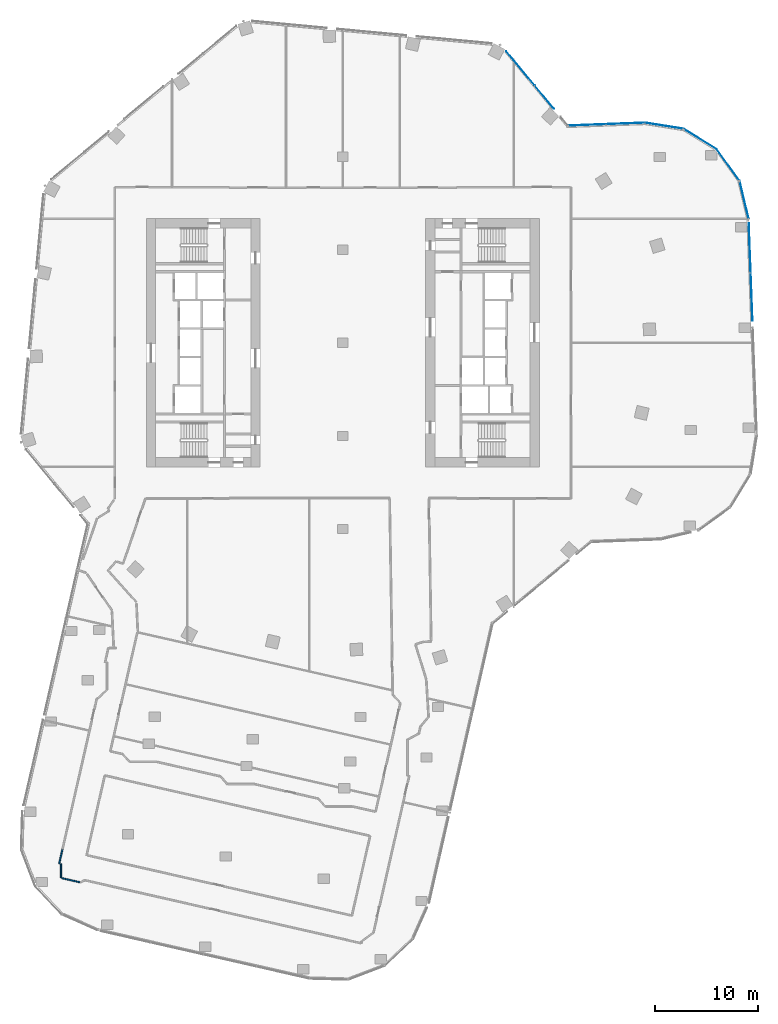
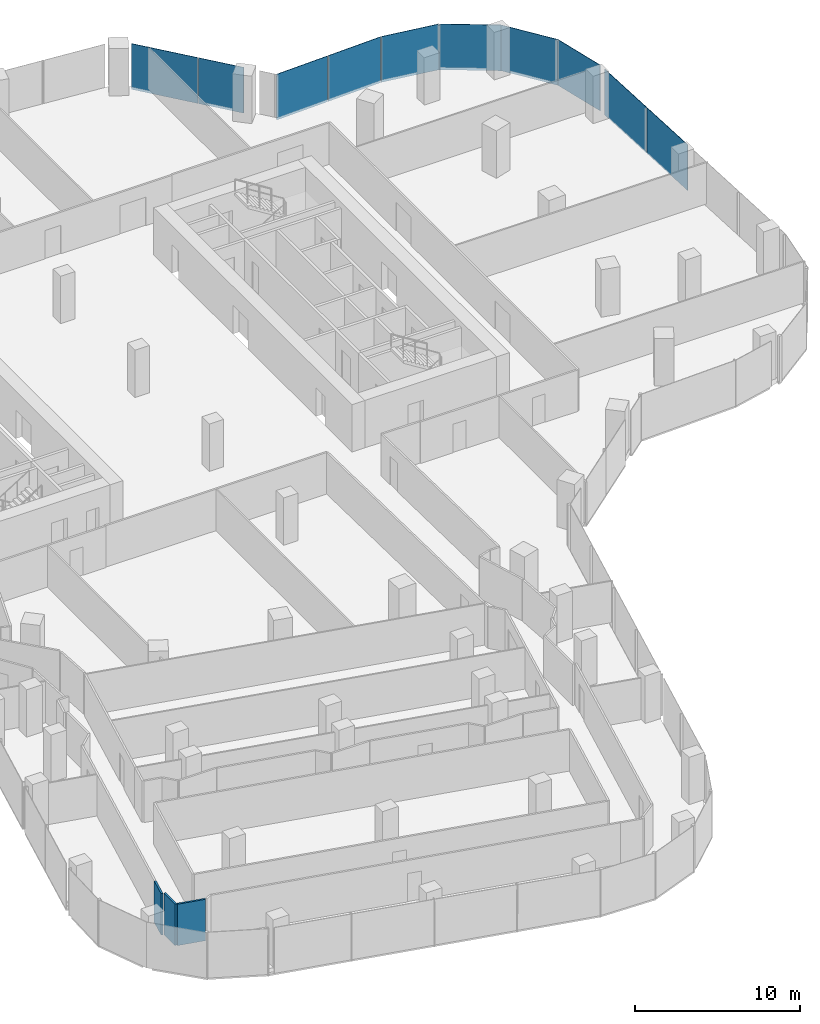
# One storey, part 17 of 24: 10 plates, 3 walls, 7 elements without a shape of their own.
"""IFC4 building model written with IfcOpenShell, lengths in metres."""

from ifc_helpers import new_model, si_unit, direction, frame, frame_2d, origin, origin_2d, place, context, subcontext, project, spatial, rectangle, extrude, material, layer, layer_set, type_object, element, aggregate, save


model = new_model("IFC4")

# Units and contexts
model_context = context("Model", 3, precision=1e-05, world=origin(), true_north=direction((0.0, 1.0)))
body_context = subcontext(model_context, "Body", "Model", "MODEL_VIEW")
ifc_project = project(units=[si_unit("LENGTHUNIT", "METRE"), si_unit("AREAUNIT", "SQUARE_METRE"), si_unit("VOLUMEUNIT", "CUBIC_METRE"), si_unit("PLANEANGLEUNIT", "RADIAN"), si_unit("MASSUNIT", "GRAM", prefix="KILO")], contexts=[model_context])

# Site, building, storey
site_placement = place(None, origin())
site = spatial("IfcSite", under=ifc_project, at=site_placement, CompositionType="ELEMENT")
building_placement = place(site_placement, origin())
building = spatial("IfcBuilding", under=site, at=building_placement, Name="Orlundy Tower", CompositionType="ELEMENT")
storey_placement = place(building_placement, frame((0.0, 0.0, 174.10009765625)))
storey = spatial("IfcBuildingStorey", under=building, at=storey_placement, Name="L45", CompositionType="ELEMENT", Elevation=174.10009765625)

# Curtain wall, plates
ifc_material_1 = material(Name="Aluminium bronze anodised", Category="aluminium")
curtain_wall_type = type_object("IfcCurtainWallType", Name="CW1 wall", PredefinedType="NOTDEFINED", material=ifc_material_1)
curtain_wall_1_placement = place(storey_placement, origin())
curtain_wall_1 = element("IfcCurtainWall", 1, at=curtain_wall_1_placement, inside=storey, type_object=curtain_wall_type, Name="CW1 run 05", PredefinedType="NOTDEFINED")
ifc_material_2 = material(Name="Tinted glass", Category="glass")
ifc_layer_1 = layer(ifc_material_2, 0.031982421875)
ifc_layer_set_1 = layer_set([ifc_layer_1], Name="CW1 glass panel 32")
plate_type = type_object("IfcPlateType", Name="CW1 glass panel 32", PredefinedType="CURTAIN_PANEL", material=ifc_layer_set_1)
plate_1_placement = place(storey_placement, frame((17.16748046875, 26.55224609375, -0.300048828125), z_axis=(0.0, 0.0, 1.0), x_axis=(0.638299162368, -0.769788399055, 0.0)))
plate_1 = element("IfcPlate", 2, at=plate_1_placement, type_object=plate_type, Name="CW1 panel", PredefinedType="CURTAIN_PANEL", context=body_context, shape_type="SweptSolid", body=[
    extrude(rectangle(XDim=4.295166015625, YDim=0.031982421875, at=origin_2d()), origin(), (0.0, 0.0, 1.0), 3.3798828125),
])
plate_2_placement = place(storey_placement, frame((19.498291015625, 23.7412109375, -0.300048828125), z_axis=(0.0, 0.0, 1.0), x_axis=(0.638299162368, -0.769788399055, 0.0)))
plate_2 = element("IfcPlate", 3, at=plate_2_placement, type_object=plate_type, Name="CW1 panel", PredefinedType="CURTAIN_PANEL", context=body_context, shape_type="SweptSolid", body=[
    extrude(rectangle(XDim=2.907958984375, YDim=0.031982421875, at=origin_2d()), origin(), (0.0, 0.0, 1.0), 3.3798828125),
])
aggregate(curtain_wall_1, [plate_1, plate_2])

curtain_wall_2_placement = place(storey_placement, origin())
curtain_wall_2 = element("IfcCurtainWall", 4, at=curtain_wall_2_placement, inside=storey, type_object=curtain_wall_type, Name="CW1 run 06", PredefinedType="NOTDEFINED")
plate_3_placement = place(storey_placement, frame((23.598388671875, 21.0712890625, -0.300048828125), z_axis=(0.0, 0.0, 1.0), x_axis=(0.99928394031, 0.037836578056, 0.0)))
plate_3 = element("IfcPlate", 5, at=plate_3_placement, type_object=plate_type, Name="CW1 panel", PredefinedType="CURTAIN_PANEL", context=body_context, shape_type="SweptSolid", body=[
    extrude(rectangle(XDim=3.660400390625, YDim=0.031982421875, at=origin_2d()), origin(), (0.0, 0.0, 1.0), 3.3798828125),
])
plate_4_placement = place(storey_placement, frame((27.342041015625, 21.212890625, -0.300048828125), z_axis=(0.0, 0.0, 1.0), x_axis=(0.99928394031, 0.037836578056, 0.0)))
plate_4 = element("IfcPlate", 6, at=plate_4_placement, type_object=plate_type, Name="CW1 panel", PredefinedType="CURTAIN_PANEL", context=body_context, shape_type="SweptSolid", body=[
    extrude(rectangle(XDim=3.732177734375, YDim=0.031982421875, at=origin_2d()), origin(), (0.0, 0.0, 1.0), 3.3798828125),
])
aggregate(curtain_wall_2, [plate_3, plate_4])

# Curtain wall, plate
curtain_wall_3_placement = place(storey_placement, origin())
curtain_wall_3 = element("IfcCurtainWall", 7, at=curtain_wall_3_placement, inside=storey, type_object=curtain_wall_type, Name="CW1 run 07", PredefinedType="NOTDEFINED")
plate_5_placement = place(storey_placement, frame((31.098876953125, 20.986083984375, -0.300048828125), z_axis=(0.0, 0.0, 1.0), x_axis=(0.987472591866, -0.157790621756, 0.0)))
plate_5 = element("IfcPlate", 8, at=plate_5_placement, type_object=plate_type, Name="CW1 panel", PredefinedType="CURTAIN_PANEL", context=body_context, shape_type="SweptSolid", body=[
    extrude(rectangle(XDim=3.731201171875, YDim=0.031982421875, at=origin_2d()), origin(), (0.0, 0.0, 1.0), 3.3798828125),
])
aggregate(curtain_wall_3, [plate_5])

curtain_wall_4_placement = place(storey_placement, origin())
curtain_wall_4 = element("IfcCurtainWall", 9, at=curtain_wall_4_placement, inside=storey, type_object=curtain_wall_type, Name="CW1 run 08", PredefinedType="NOTDEFINED")
plate_6_placement = place(storey_placement, frame((34.54736328125, 19.70361328125, -0.300048828125), z_axis=(0.0, 0.0, 1.0), x_axis=(0.85175093776, -0.523946886645, 0.0)))
plate_6 = element("IfcPlate", 10, at=plate_6_placement, type_object=plate_type, Name="CW1 panel", PredefinedType="CURTAIN_PANEL", context=body_context, shape_type="SweptSolid", body=[
    extrude(rectangle(XDim=3.771728515625, YDim=0.031982421875, at=origin_2d()), origin(), (0.0, 0.0, 1.0), 3.3798828125),
])
aggregate(curtain_wall_4, [plate_6])

curtain_wall_5_placement = place(storey_placement, origin())
curtain_wall_5 = element("IfcCurtainWall", 11, at=curtain_wall_5_placement, inside=storey, type_object=curtain_wall_type, Name="CW1 run 09", PredefinedType="NOTDEFINED")
plate_7_placement = place(storey_placement, frame((37.26025390625, 17.188232421875, -0.300048828125), z_axis=(0.0, 0.0, 1.0), x_axis=(0.586711161355, -0.80979627879, 0.0)))
plate_7 = element("IfcPlate", 12, at=plate_7_placement, type_object=plate_type, Name="CW1 panel", PredefinedType="CURTAIN_PANEL", context=body_context, shape_type="SweptSolid", body=[
    extrude(rectangle(XDim=3.772216796875, YDim=0.031982421875, at=origin_2d()), origin(), (0.0, 0.0, 1.0), 3.3798828125),
])
aggregate(curtain_wall_5, [plate_7])

curtain_wall_6_placement = place(storey_placement, origin())
curtain_wall_6 = element("IfcCurtainWall", 13, at=curtain_wall_6_placement, inside=storey, type_object=curtain_wall_type, Name="CW1 run 010", PredefinedType="NOTDEFINED")
plate_8_placement = place(storey_placement, frame((38.7998046875, 13.8466796875, -0.300048828125), z_axis=(0.0, 0.0, 1.0), x_axis=(0.23204608122, -0.972704793959, 0.0)))
plate_8 = element("IfcPlate", 14, at=plate_8_placement, type_object=plate_type, Name="CW1 panel", PredefinedType="CURTAIN_PANEL", context=body_context, shape_type="SweptSolid", body=[
    extrude(rectangle(XDim=3.729736328125, YDim=0.031982421875, at=origin_2d()), origin(), (0.0, 0.0, 1.0), 3.3798828125),
])
aggregate(curtain_wall_6, [plate_8])

# Curtain wall, plates
curtain_wall_7_placement = place(storey_placement, origin())
curtain_wall_7 = element("IfcCurtainWall", 15, at=curtain_wall_7_placement, inside=storey, type_object=curtain_wall_type, Name="CW1 run 011", PredefinedType="NOTDEFINED")
plate_9_placement = place(storey_placement, frame((39.345703125, 9.168701171875, -0.300048828125), z_axis=(0.0, 0.0, 1.0), x_axis=(0.03780949547, -0.999284965389, 0.0)))
plate_9 = element("IfcPlate", 16, at=plate_9_placement, type_object=plate_type, Name="CW1 panel", PredefinedType="CURTAIN_PANEL", context=body_context, shape_type="SweptSolid", body=[
    extrude(rectangle(XDim=4.798828125, YDim=0.031982421875, at=origin_2d()), origin(), (0.0, 0.0, 1.0), 3.3798828125),
])
plate_10_placement = place(storey_placement, frame((39.525390625, 4.4208984375, -0.300048828125), z_axis=(0.0, 0.0, 1.0), x_axis=(0.03780949547, -0.999284965389, 0.0)))
plate_10 = element("IfcPlate", 17, at=plate_10_placement, type_object=plate_type, Name="CW1 panel", PredefinedType="CURTAIN_PANEL", context=body_context, shape_type="SweptSolid", body=[
    extrude(rectangle(XDim=4.603271484375, YDim=0.031982421875, at=origin_2d()), origin(), (0.0, 0.0, 1.0), 3.3798828125),
])
aggregate(curtain_wall_7, [plate_9, plate_10])

# Walls
ifc_material_3 = material(Name="Gypsum board partition, double layer")
ifc_layer_2 = layer(ifc_material_3, 0.125)
ifc_layer_set_2 = layer_set([ifc_layer_2], Name="Floor partition 125")
wall_type = type_object("IfcWallType", Name="Floor partition 125", PredefinedType="PARTITIONING", material=ifc_layer_set_2)
wall_1_placement = place(storey_placement, frame((-27.173095703125, -51.758056640625, 0.0), z_axis=(0.0, 0.0, 1.0), x_axis=(0.975050579035, -0.221982810874, 0.0)))
element("IfcWall", 18, at=wall_1_placement, inside=storey, type_object=wall_type, Name="wall-int-L45-014", PredefinedType="PARTITIONING", context=body_context, shape_type="SweptSolid", body=[
    extrude(rectangle(XDim=1.779541015625, YDim=0.125, at=frame_2d((0.8896484375, 0.0))), origin(), (0.0, 0.0, 1.0), 3.059814453125),
])
wall_2_placement = place(storey_placement, frame((-27.431884765625, -50.382080078125, 0.0), z_axis=(0.0, 0.0, 1.0), x_axis=(0.221673255789, 0.975121001552, 0.0)))
element("IfcWall", 19, at=wall_2_placement, inside=storey, type_object=wall_type, Name="wall-int-L45-069", PredefinedType="PARTITIONING", context=body_context, shape_type="SweptSolid", body=[
    extrude(rectangle(XDim=1.416259765625, YDim=0.125, at=frame_2d((0.7080078125, 0.0))), origin(), (0.0, 0.0, 1.0), 3.059814453125),
])
wall_3_placement = place(storey_placement, frame((-27.2490234375, -51.740966796875, 0.0), z_axis=(0.0, 0.0, 1.0), x_axis=(0.0, 1.0, 0.0)))
element("IfcWall", 20, at=wall_3_placement, inside=storey, type_object=wall_type, Name="wall-int-L45-085", PredefinedType="PARTITIONING", context=body_context, shape_type="SweptSolid", body=[
    extrude(rectangle(XDim=1.35888671875, YDim=0.125, at=frame_2d((0.679443359375, 0.0))), origin(), (0.0, 0.0, 1.0), 3.059814453125),
])

save(model, "model.ifc")
